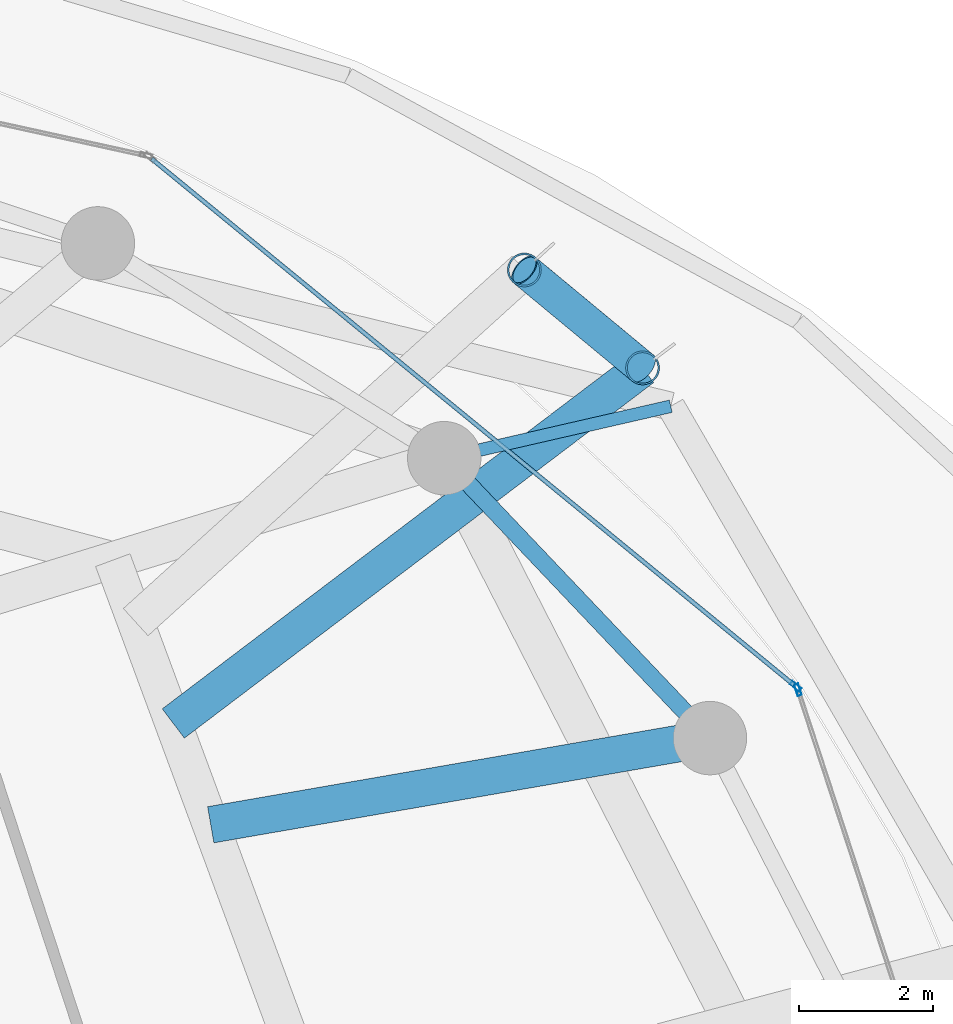
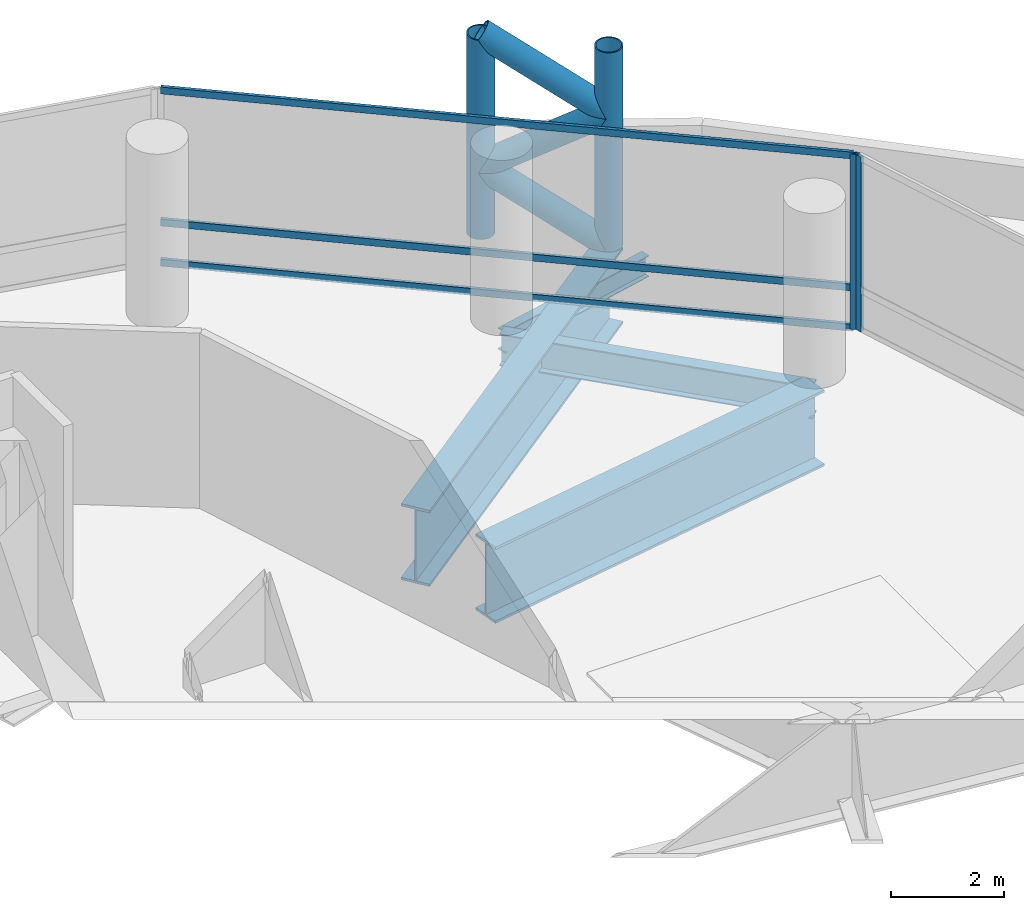
# One storey, part 27 of 37: 10 members, 4 beams, 2 elements without a shape of their own.
"""IFC4 building model written with IfcOpenShell, lengths in metres."""

import ifcopenshell
import ifcopenshell.guid

model = None  # the IFC model being written
_history = None  # IfcOwnerHistory: only IFC2X3 demands one
_inside = {}  # id of a spatial element -> (the spatial element, [elements in it])
_under = {}  # id of a project, library or spatial element -> (it, [spatial elements below it])
_declared = {}  # id of a project -> (the project, [libraries it declares])
_typed = {}  # id of a type object -> (the type object, [elements of that type])
_made_of = {}  # id of a material, layer set ... -> (it, [elements and type objects made of it])


def new_model(schema):
    """Start an empty IFC model of exactly this schema.

    Asked for "IFC4X3", IfcOpenShell would pick the latest addendum, in which some entities
    have other attributes; the version numbers below select the first issue.
    IFC2X3 requires an IfcOwnerHistory on every rooted entity: one is made here for all.
    """
    global model, _history
    if schema == "IFC4X3":
        model = ifcopenshell.file(schema_version=(4, 3, 0, 0))
    else:
        model = ifcopenshell.file(schema=schema)
    _inside.clear()
    _under.clear()
    _declared.clear()
    _typed.clear()
    _made_of.clear()
    _history = None
    if model.schema == "IFC2X3":
        org = make("IfcOrganization", Name="unknown")
        user = make(
            "IfcPersonAndOrganization",
            ThePerson=make("IfcPerson", FamilyName="unknown"),
            TheOrganization=org,
        )
        app = make(
            "IfcApplication",
            ApplicationDeveloper=org,
            Version="unknown",
            ApplicationFullName="unknown",
            ApplicationIdentifier="unknown",
        )
        _history = make(
            "IfcOwnerHistory",
            OwningUser=user,
            OwningApplication=app,
            ChangeAction="ADDED",
            CreationDate=0,
        )
    return model


def make(cls, **values):
    """One entity of the class cls with the attributes given. An attribute that is None is left unset."""
    return model.create_entity(
        cls, **{name: value for name, value in values.items() if value is not None}
    )


def rooted(cls, **values):
    """An entity with a GlobalId (a new one), such as an element, a storey or a relation."""
    return make(cls, GlobalId=ifcopenshell.guid.new(), OwnerHistory=_history, **values)


def si_unit(unit_type, name, prefix=None):
    """IfcSIUnit, for example si_unit("LENGTHUNIT", "METRE", prefix="MILLI")."""
    return make("IfcSIUnit", UnitType=unit_type, Prefix=prefix, Name=name)


def assignment(units):
    """IfcUnitAssignment: the units of a project."""
    return None if units is None else make("IfcUnitAssignment", Units=units)


def point(xyz):
    """IfcCartesianPoint."""
    return None if xyz is None else make("IfcCartesianPoint", Coordinates=xyz)


def direction(xyz):
    """IfcDirection."""
    return None if xyz is None else make("IfcDirection", DirectionRatios=xyz)


def frame(location, z_axis=None, x_axis=None):
    """IfcAxis2Placement3D, a coordinate frame: its origin and axes. An axis left out is left unset."""
    return make(
        "IfcAxis2Placement3D",
        Location=point(location),
        Axis=direction(z_axis),
        RefDirection=direction(x_axis),
    )


def frame_2d(location, x_axis=None):
    """IfcAxis2Placement2D, a coordinate frame in the plane: its origin and x axis."""
    return make(
        "IfcAxis2Placement2D", Location=point(location), RefDirection=direction(x_axis)
    )


def origin():
    """The frame at (0, 0, 0) with its axes left unset."""
    return frame((0.0, 0.0, 0.0))


def origin_2d():
    """The frame at (0, 0) in the plane with its x axis left unset."""
    return frame_2d((0.0, 0.0))


def place(relative_to, where):
    """IfcLocalPlacement: puts the frame where relative to a parent placement (None: the world)."""
    return make(
        "IfcLocalPlacement", PlacementRelTo=relative_to, RelativePlacement=where
    )


def context(
    kind, dimensions, precision=None, world=None, true_north=None, identifier=None
):
    """IfcGeometricRepresentationContext, for example the 3D "Model" context."""
    return make(
        "IfcGeometricRepresentationContext",
        ContextIdentifier=identifier,
        ContextType=kind,
        CoordinateSpaceDimension=dimensions,
        Precision=precision,
        WorldCoordinateSystem=world,
        TrueNorth=true_north,
    )


def subcontext(parent, identifier, kind, view, scale=None):
    """IfcGeometricRepresentationSubContext, for example "Body" below "Model"."""
    return make(
        "IfcGeometricRepresentationSubContext",
        ContextIdentifier=identifier,
        ContextType=kind,
        ParentContext=parent,
        TargetScale=scale,
        TargetView=view,
    )


def project(units=None, contexts=None):
    """IfcProject with its units and contexts."""
    return rooted(
        "IfcProject",
        Name="project",
        RepresentationContexts=contexts,
        UnitsInContext=assignment(units),
    )


def spatial(cls, under=None, at=None, **own):
    """A site, building, storey or space (cls), placed at a placement, below another one or the project."""
    s = rooted(cls, ObjectPlacement=at, **own)
    if under is not None:
        _under.setdefault(under.id(), (under, []))[1].append(s)
    return s


def profile(cls, at=None, kind="AREA", **sizes):
    """A parametric profile (cls). Its sizes go by their IFC names, for example OverallWidth=200.0."""
    return make(cls, ProfileType=kind, Position=at, **sizes)


def hollow_rectangle(**sizes):
    """IfcRectangleHollowProfileDef."""
    return profile("IfcRectangleHollowProfileDef", **sizes)


def hollow_circle(**sizes):
    """IfcCircleHollowProfileDef."""
    return profile("IfcCircleHollowProfileDef", **sizes)


def i_section(**sizes):
    """IfcIShapeProfileDef."""
    return profile("IfcIShapeProfileDef", **sizes)


def extrude(swept, where, along, depth):
    """IfcExtrudedAreaSolid: the profile swept, set in the frame where, extruded along a direction by depth."""
    return make(
        "IfcExtrudedAreaSolid",
        SweptArea=swept,
        Position=where,
        ExtrudedDirection=direction(along),
        Depth=depth,
    )


def shape(context_of_items, identifier, shape_type, items):
    """IfcShapeRepresentation: the items that make up one representation, for example the "Body"."""
    return make(
        "IfcShapeRepresentation",
        ContextOfItems=context_of_items,
        RepresentationIdentifier=identifier,
        RepresentationType=shape_type,
        Items=items,
    )


def material(Name=None, Category=None):
    """IfcMaterial."""
    return make("IfcMaterial", Name=Name, Category=Category)


def layer(
    of_material, thickness, ventilated=None, Name=None, Category=None, Priority=None
):
    """IfcMaterialLayer: one layer of a wall or slab, of a material (None: an air gap)."""
    return make(
        "IfcMaterialLayer",
        Material=of_material,
        LayerThickness=thickness,
        IsVentilated=ventilated,
        Name=Name,
        Category=Category,
        Priority=Priority,
    )


def layer_set(layers, Name=None):
    """IfcMaterialLayerSet."""
    return make("IfcMaterialLayerSet", MaterialLayers=layers, LayerSetName=Name)


def material_profile(
    of_material, cross_section, Name=None, Category=None, Priority=None
):
    """IfcMaterialProfile: a cross section and its material."""
    return make(
        "IfcMaterialProfile",
        Name=Name,
        Material=of_material,
        Profile=cross_section,
        Priority=Priority,
        Category=Category,
    )


def profile_set(profiles, Name=None, composite=None):
    """IfcMaterialProfileSet."""
    return make(
        "IfcMaterialProfileSet",
        Name=Name,
        MaterialProfiles=profiles,
        CompositeProfile=composite,
    )


def made_of(thing, what):
    """Note that an element or type object is made of a material, layer set ...; save() writes the relation."""
    if what is not None:
        _made_of.setdefault(what.id(), (what, []))[1].append(thing)
    return thing


def type_object(cls, material=None, **own):
    """A type object (cls), such as IfcWallType, which elements share."""
    return made_of(rooted(cls, **own), material)


def element(
    cls,
    number,
    at=None,
    inside=None,
    cuts=None,
    type_object=None,
    material=None,
    context=None,
    identifier="Body",
    shape_type=None,
    held_by="IfcProductDefinitionShape",
    body=None,
    shapes=None,
    **own,
):
    """One element of the class cls, such as IfcWall. Its Tag is "e" and its number.

    at: its placement. inside: the storey or other place that contains it. cuts: it is an
    opening in that element (IfcRelVoidsElement). A single representation is given by context,
    identifier, shape_type and body (its items); several are given by shapes. held_by: the class
    of the entity that holds the representations. save() writes the other relations.
    """
    e = rooted(cls, Tag="e%d" % number, ObjectPlacement=at, **own)
    if body is not None:
        shapes = [shape(context, identifier, shape_type, body)]
    if shapes is not None:
        e.Representation = make(held_by, Representations=shapes)
    if inside is not None:
        _inside.setdefault(inside.id(), (inside, []))[1].append(e)
    if cuts is not None:
        rooted(
            "IfcRelVoidsElement", RelatingBuildingElement=cuts, RelatedOpeningElement=e
        )
    if type_object is not None:
        _typed.setdefault(type_object.id(), (type_object, []))[1].append(e)
    return made_of(e, material)


def aggregate(whole, parts):
    """IfcRelAggregates: a whole, such as a stair, and the parts it consists of."""
    return rooted("IfcRelAggregates", RelatingObject=whole, RelatedObjects=parts)


def save(model, path):
    """Write the relations noted so far, then the file.

    IfcRelAggregates (storeys below a building ...), IfcRelContainedInSpatialStructure (elements
    in a storey), IfcRelDefinesByType, IfcRelAssociatesMaterial and IfcRelDeclares: one each for
    every whole, place, type object, material and project.
    """
    for whole, parts in _under.values():
        aggregate(whole, parts)
    for where, things in _inside.values():
        rooted(
            "IfcRelContainedInSpatialStructure",
            RelatedElements=things,
            RelatingStructure=where,
        )
    for kind, things in _typed.values():
        rooted("IfcRelDefinesByType", RelatedObjects=things, RelatingType=kind)
    for what, things in _made_of.values():
        rooted("IfcRelAssociatesMaterial", RelatedObjects=things, RelatingMaterial=what)
    for by, libraries in _declared.values():
        rooted("IfcRelDeclares", RelatingContext=by, RelatedDefinitions=libraries)
    model.write(path)


model = new_model("IFC4")

# Units and contexts
model_context = context("Model", 3, precision=1e-05, world=origin(), true_north=direction((0.0, 1.0)))
body_context = subcontext(model_context, "Body", "Model", "MODEL_VIEW")
ifc_project = project(units=[si_unit("LENGTHUNIT", "METRE"), si_unit("AREAUNIT", "SQUARE_METRE"), si_unit("VOLUMEUNIT", "CUBIC_METRE"), si_unit("PLANEANGLEUNIT", "RADIAN"), si_unit("MASSUNIT", "GRAM", prefix="KILO")], contexts=[model_context])

# Site, building, storey
site_placement = place(None, origin())
site = spatial("IfcSite", under=ifc_project, at=site_placement, CompositionType="ELEMENT")
building_placement = place(site_placement, origin())
building = spatial("IfcBuilding", under=site, at=building_placement, Name="Nuhasar Tower", CompositionType="ELEMENT")
storey_placement = place(building_placement, frame((0.0, 0.0, 21.0)))
storey = spatial("IfcBuildingStorey", under=building, at=storey_placement, Name="L04", CompositionType="ELEMENT", Elevation=21.0)

# Beams
ifc_material_1 = material(Name="Steel S355", Category="steel")
ifc_material_profile_1 = material_profile(ifc_material_1, i_section(OverallWidth=0.18994140625, OverallDepth=0.45703125, WebThickness=0.009033203125, FlangeThickness=0.014404296875, at=origin_2d()), Name="W18X50")
ifc_profile_set_1 = profile_set([ifc_material_profile_1], Name="Steel S355")
beam_type_1 = type_object("IfcBeamType", Name="BM-RAD-W18X50", PredefinedType="BEAM", material=ifc_profile_set_1)
beam_1_placement = place(storey_placement, frame((56.712890625, 41.118896484375, -0.489013671875), z_axis=(0.974715141502, 0.223451097394, 0.0), x_axis=(-0.223451097394, 0.974715141502, 0.0)))
element("IfcBeam", 1, at=beam_1_placement, inside=storey, type_object=beam_type_1, Name="L04 Podium Radial Girder 05", PredefinedType="BEAM", context=body_context, shape_type="SweptSolid", body=[
    extrude(i_section(OverallWidth=0.18994140625, OverallDepth=0.45703125, WebThickness=0.009033203125, FlangeThickness=0.014404296875, at=origin_2d()), origin(), (0.0, 0.0, 1.0), 3.482177734375),
])
ifc_material_profile_2 = material_profile(ifc_material_1, i_section(OverallWidth=0.256103515625, OverallDepth=0.693115234375, WebThickness=0.014404296875, FlangeThickness=0.023681640625, at=origin_2d()), Name="W27X114")
ifc_profile_set_2 = profile_set([ifc_material_profile_2], Name="Steel S355")
beam_type_2 = type_object("IfcBeamType", Name="BM-RING-W27X114", PredefinedType="SPANDREL", material=ifc_profile_set_2)
beam_2_placement = place(storey_placement, frame((60.694091796875, 36.925048828125, -0.60693359375), z_axis=(-0.688480893507, 0.725254478976, 0.0), x_axis=(-0.725254478976, -0.688480893507, 0.0)))
element("IfcBeam", 2, at=beam_2_placement, inside=storey, type_object=beam_type_2, Name="L04 Perimeter Ring Spandrel 03", PredefinedType="SPANDREL", context=body_context, shape_type="SweptSolid", body=[
    extrude(i_section(OverallWidth=0.256103515625, OverallDepth=0.693115234375, WebThickness=0.014404296875, FlangeThickness=0.023681640625, at=origin_2d()), origin(), (0.0, 0.0, 1.0), 5.782470703125),
])
ifc_material_2 = material(Name="Steel S460", Category="steel")
ifc_material_profile_3 = material_profile(ifc_material_2, i_section(OverallWidth=0.550048828125, OverallDepth=1.64990234375, WebThickness=0.031982421875, FlangeThickness=0.054931640625, at=origin_2d()), Name="PG1650X550")
ifc_profile_set_3 = profile_set([ifc_material_profile_3], Name="Steel S460")
beam_type_3 = type_object("IfcBeamType", Name="BM-XFER-PG1650", PredefinedType="USERDEFINED", material=ifc_profile_set_3)
beam_3_placement = place(storey_placement, frame((53.215087890625, 35.626953125, -1.0849609375), z_axis=(0.985269532389, 0.171008621261, 0.0), x_axis=(-0.171008621261, 0.985269532389, 0.0)))
element("IfcBeam", 3, at=beam_3_placement, inside=storey, type_object=beam_type_3, Name="L04 Inner Column Transfer Girder 03", ObjectType="GIRDER", PredefinedType="USERDEFINED", context=body_context, shape_type="SweptSolid", body=[
    extrude(i_section(OverallWidth=0.550048828125, OverallDepth=1.64990234375, WebThickness=0.031982421875, FlangeThickness=0.054931640625, at=origin_2d()), origin(), (0.0, 0.0, 1.0), 7.5908203125),
])
beam_4_placement = place(storey_placement, frame((52.654052734375, 37.14404296875, -1.0849609375), z_axis=(0.79707115575, 0.603885396969, 0.0), x_axis=(-0.603885396969, 0.79707115575, 0.0)))
element("IfcBeam", 4, at=beam_4_placement, inside=storey, type_object=beam_type_3, Name="L04 Exoskeleton Base Transfer Girder 03", ObjectType="GIRDER", PredefinedType="USERDEFINED", context=body_context, shape_type="SweptSolid", body=[
    extrude(i_section(OverallWidth=0.550048828125, OverallDepth=1.64990234375, WebThickness=0.031982421875, FlangeThickness=0.054931640625, at=origin_2d()), origin(), (0.0, 0.0, 1.0), 8.821044921875),
])

# Curtain wall, member
ifc_material_3 = material(Name="Aluminium 6063-T6", Category="aluminium")
ifc_layer = layer(ifc_material_3, 0.199951171875)
ifc_layer_set = layer_set([ifc_layer], Name="Aluminium 6063-T6")
curtain_wall_type = type_object("IfcCurtainWallType", Name="CW-Z1-OFF", PredefinedType="NOTDEFINED", material=ifc_layer_set)
curtain_wall_1_placement = place(storey_placement, origin())
curtain_wall_1 = element("IfcCurtainWall", 5, at=curtain_wall_1_placement, inside=storey, type_object=curtain_wall_type, Name="L04 Unitised Curtain Wall 01", PredefinedType="NOTDEFINED")
ifc_material_profile_4 = material_profile(ifc_material_3, hollow_rectangle(XDim=0.06494140625, YDim=0.179931640625, WallThickness=0.0048828125, at=origin_2d()), Name="CWM-2")
ifc_profile_set_4 = profile_set([ifc_material_profile_4], Name="Aluminium 6063-T6")
member_type_1 = type_object("IfcMemberType", Name="CW-MUL-S2", PredefinedType="MULLION", material=ifc_profile_set_4)
member_1_placement = place(storey_placement, frame((62.01220703125, 37.649169921875, 0.0), z_axis=(0.0, 0.0, 1.0), x_axis=(-0.950467534571, -0.310823849997, 0.0)))
member_1 = element("IfcMember", 6, at=member_1_placement, type_object=member_type_1, Name="CW-Z1 mullion 2", PredefinedType="MULLION", context=body_context, shape_type="SweptSolid", body=[
    extrude(hollow_rectangle(XDim=0.06494140625, YDim=0.179931640625, WallThickness=0.0048828125, at=origin_2d()), origin(), (0.0, 0.0, 1.0), 3.7900390625),
])
aggregate(curtain_wall_1, [member_1])

# Curtain wall, members
curtain_wall_2_placement = place(storey_placement, origin())
curtain_wall_2 = element("IfcCurtainWall", 7, at=curtain_wall_2_placement, inside=storey, type_object=curtain_wall_type, Name="L04 Unitised Curtain Wall 02", PredefinedType="NOTDEFINED")
member_2_placement = place(storey_placement, frame((61.976806640625, 37.70068359375, 0.0), z_axis=(0.0, 0.0, 1.0), x_axis=(-0.633744593376, -0.773542364946, 0.0)))
member_2 = element("IfcMember", 8, at=member_2_placement, type_object=member_type_1, Name="CW-Z1 mullion 1", PredefinedType="MULLION", context=body_context, shape_type="SweptSolid", body=[
    extrude(hollow_rectangle(XDim=0.06494140625, YDim=0.179931640625, WallThickness=0.0048828125, at=origin_2d()), origin(), (0.0, 0.0, 1.0), 3.7900390625),
])
ifc_material_profile_5 = material_profile(ifc_material_3, hollow_rectangle(XDim=0.06494140625, YDim=0.14990234375, WallThickness=0.00439453125, at=origin_2d()), Name="CWT-2")
ifc_profile_set_5 = profile_set([ifc_material_profile_5], Name="Aluminium 6063-T6")
member_type_2 = type_object("IfcMemberType", Name="CW-TRN-S2", PredefinedType="USERDEFINED", material=ifc_profile_set_5)
member_3_placement = place(storey_placement, frame((61.95166015625, 37.72119140625, 0.032470703125), z_axis=(-0.773540851599, 0.633746440548, 0.0), x_axis=(-0.633746440548, -0.773540851599, 0.0)))
member_3 = element("IfcMember", 9, at=member_3_placement, type_object=member_type_2, Name="CW-Z1 transom 1.1", ObjectType="TRANSOM", PredefinedType="USERDEFINED", context=body_context, shape_type="SweptSolid", body=[
    extrude(hollow_rectangle(XDim=0.06494140625, YDim=0.14990234375, WallThickness=0.00439453125, at=origin_2d()), origin(), (0.0, 0.0, 1.0), 12.43798828125),
])
member_4_placement = place(storey_placement, frame((61.95166015625, 37.72119140625, 0.89990234375), z_axis=(-0.773540851599, 0.633746440548, 0.0), x_axis=(-0.633746440548, -0.773540851599, 0.0)))
member_4 = element("IfcMember", 10, at=member_4_placement, type_object=member_type_2, Name="CW-Z1 transom 1.2", ObjectType="TRANSOM", PredefinedType="USERDEFINED", context=body_context, shape_type="SweptSolid", body=[
    extrude(hollow_rectangle(XDim=0.06494140625, YDim=0.14990234375, WallThickness=0.00439453125, at=origin_2d()), origin(), (0.0, 0.0, 1.0), 12.43798828125),
])
member_5_placement = place(storey_placement, frame((61.95166015625, 37.72119140625, 3.757568359375), z_axis=(-0.773540851599, 0.633746440548, 0.0), x_axis=(-0.633746440548, -0.773540851599, 0.0)))
member_5 = element("IfcMember", 11, at=member_5_placement, type_object=member_type_2, Name="CW-Z1 transom 1.3", ObjectType="TRANSOM", PredefinedType="USERDEFINED", context=body_context, shape_type="SweptSolid", body=[
    extrude(hollow_rectangle(XDim=0.06494140625, YDim=0.14990234375, WallThickness=0.00439453125, at=origin_2d()), origin(), (0.0, 0.0, 1.0), 12.43798828125),
])
aggregate(curtain_wall_2, [member_2, member_3, member_4, member_5])

# Members
ifc_material_profile_6 = material_profile(ifc_material_2, hollow_circle(Radius=0.25390625, WallThickness=0.025390625, at=origin_2d()), Name="HSS508X25.4")
ifc_profile_set_6 = profile_set([ifc_material_profile_6], Name="Steel S460")
member_type_3 = type_object("IfcMemberType", Name="EXO-BRONZE-508", PredefinedType="BRACE", material=ifc_profile_set_6)
for number, where, z_axis, x_axis, name in (
    (12, (59.68505859375, 42.470947265625, -0.260009765625), (0.0, 0.0, 1.0), (1.0, 0.0, 0.0), "L04 Exoskeleton Chord Column EC-02A"),
    (13, (57.9130859375, 43.93896484375, -0.260009765625), (0.0, 0.0, 1.0), (1.0, 0.0, 0.0), "L04 Exoskeleton Chord Column EC-02B"),
):
    element("IfcMember", number, at=place(storey_placement, frame(where, z_axis=z_axis, x_axis=x_axis)), inside=storey, type_object=member_type_3, Name=name, PredefinedType="BRACE", context=body_context, shape_type="SweptSolid", body=[
        extrude(hollow_circle(Radius=0.25390625, WallThickness=0.025390625, at=origin_2d()), origin(), (0.0, 0.0, 1.0), 4.31005859375),
    ])
member_6_placement = place(storey_placement, frame((59.68505859375, 42.470947265625, -0.260009765625), z_axis=(-0.653159322717, 0.541119730986, 0.529690792713), x_axis=(-0.637969333506, -0.770061769929, 0.0)))
element("IfcMember", 14, at=member_6_placement, inside=storey, type_object=member_type_3, Name="L04 Bronze Diagrid Brace W1-02", PredefinedType="BRACE", context=body_context, shape_type="SweptSolid", body=[
    extrude(hollow_circle(Radius=0.25390625, WallThickness=0.025390625, at=origin_2d()), origin(), (0.0, 0.0, 1.0), 2.712890625),
])
member_7_placement = place(storey_placement, frame((57.9130859375, 43.93896484375, 1.177001953125), z_axis=(0.653283854529, -0.541222901252, 0.529431748738), x_axis=(0.637969333506, 0.770061769929, 0.0)))
element("IfcMember", 15, at=member_7_placement, inside=storey, type_object=member_type_3, Name="L04 Bronze Diagrid Brace W2-02", PredefinedType="BRACE", context=body_context, shape_type="SweptSolid", body=[
    extrude(hollow_circle(Radius=0.25390625, WallThickness=0.025390625, at=origin_2d()), origin(), (0.0, 0.0, 1.0), 2.71240234375),
])
member_8_placement = place(storey_placement, frame((59.68505859375, 42.470947265625, 2.613037109375), z_axis=(-0.653159322717, 0.541119730986, 0.529690792713), x_axis=(-0.637969333506, -0.770061769929, 0.0)))
element("IfcMember", 16, at=member_8_placement, inside=storey, type_object=member_type_3, Name="L04 Bronze Diagrid Brace W3-02", PredefinedType="BRACE", context=body_context, shape_type="SweptSolid", body=[
    extrude(hollow_circle(Radius=0.25390625, WallThickness=0.025390625, at=origin_2d()), origin(), (0.0, 0.0, 1.0), 2.712890625),
])

save(model, "model.ifc")
